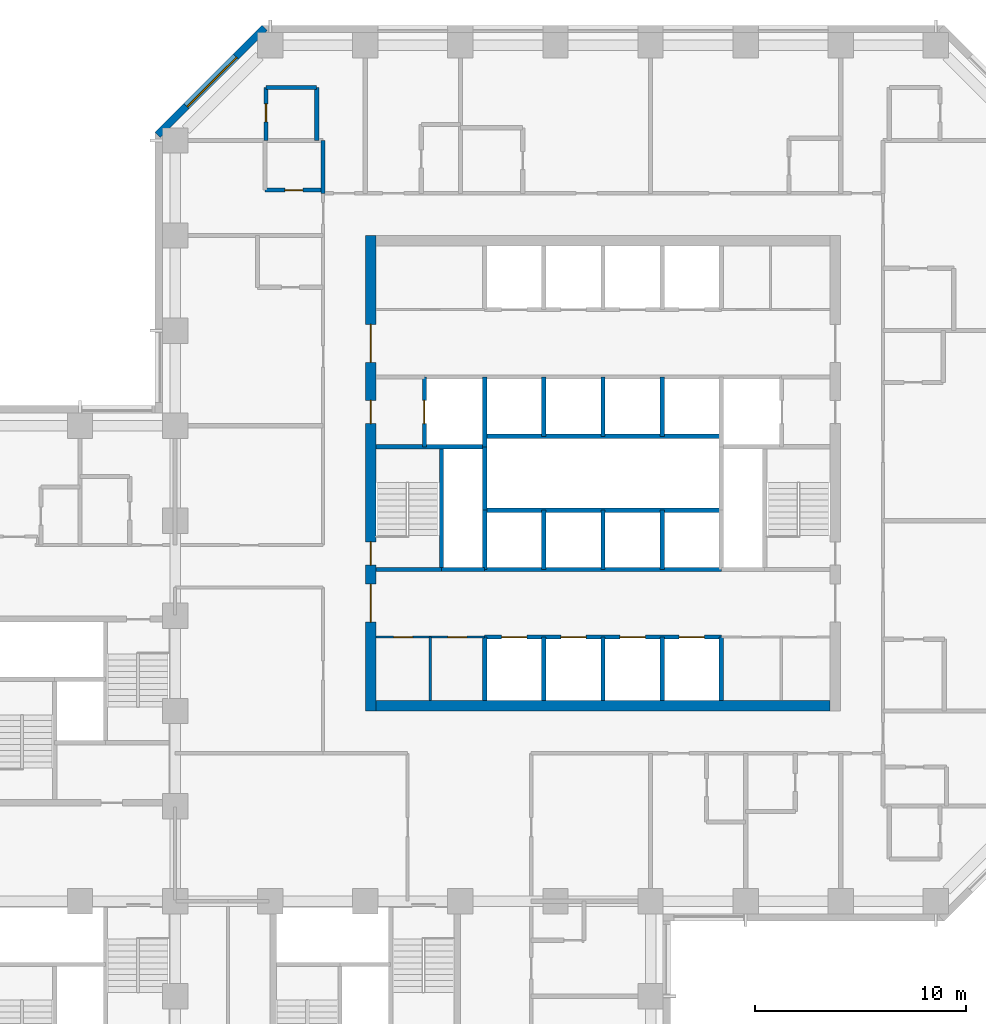
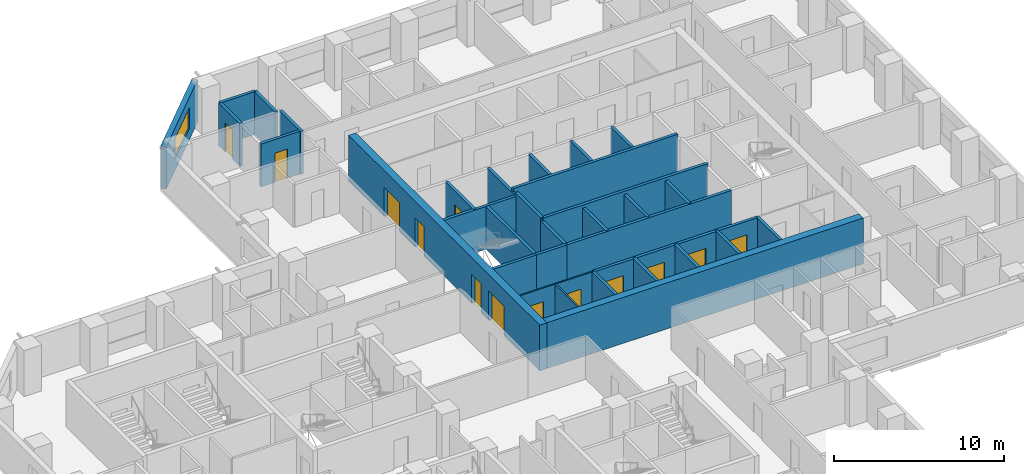
# One storey, part 8 of 13: 33 walls, 13 doors, 1 window, 14 openings.
"""IFC4 building model written with IfcOpenShell, lengths in metres."""

from ifc_helpers import new_model, si_unit, direction, frame, frame_2d, origin, place, context, subcontext, project, spatial, rectangle, extrude, material, layer, layer_set, constituent, constituent_set, type_object, element, fill, save


model = new_model("IFC4")

# Units and contexts
model_context = context("Model", 3, precision=1e-05, world=origin(), true_north=direction((0.0, 1.0)))
body_context = subcontext(model_context, "Body", "Model", "MODEL_VIEW")
ifc_project = project(units=[si_unit("LENGTHUNIT", "METRE"), si_unit("AREAUNIT", "SQUARE_METRE"), si_unit("VOLUMEUNIT", "CUBIC_METRE"), si_unit("PLANEANGLEUNIT", "RADIAN"), si_unit("MASSUNIT", "GRAM", prefix="KILO")], contexts=[model_context])

# Site, building, storey
site_placement = place(None, origin())
site = spatial("IfcSite", under=ifc_project, at=site_placement, CompositionType="ELEMENT")
building_placement = place(site_placement, origin())
building = spatial("IfcBuilding", under=site, at=building_placement, Name="Quoin Convention Tower", CompositionType="ELEMENT")
storey_placement = place(building_placement, frame((0.0, 0.0, 62.699951171875)))
storey = spatial("IfcBuildingStorey", under=building, at=storey_placement, Name="L16", CompositionType="ELEMENT", Elevation=62.699951171875)

# Wall, opening, window
ifc_material_1 = material(Name="Brick masonry", Category="masonry")
ifc_layer_1 = layer(ifc_material_1, 0.35009765625)
ifc_layer_set_1 = layer_set([ifc_layer_1], Name="Brick masonry")
wall_type_1 = type_object("IfcWallType", Name="Brick facade wall", PredefinedType="STANDARD", material=ifc_layer_set_1)
wall_1_placement = place(storey_placement, frame((40.230224609375, 81.826416015625, 0.0), z_axis=(0.0, 0.0, 1.0), x_axis=(-0.707106781187, -0.707106781187, 0.0)))
wall_1 = element("IfcWall", 1, at=wall_1_placement, inside=storey, type_object=wall_type_1, Name="fw-L16-40500_81000", PredefinedType="STANDARD", context=body_context, shape_type="SweptSolid", body=[
    extrude(rectangle(XDim=7.151123046875, YDim=0.35009765625, at=frame_2d((3.57568359375, 0.0))), origin(), (0.0, 0.0, 1.0), 3.054931640625),
])
opening_1_placement = place(wall_1_placement, frame((1.925537109375, 0.0, 0.800048828125)))
opening_1 = element("IfcOpeningElement", 2, at=opening_1_placement, cuts=wall_1, Name="Opening W-01", PredefinedType="OPENING", context=body_context, shape_type="SweptSolid", body=[
    extrude(rectangle(XDim=3.300048828125, YDim=1.5, at=frame_2d((1.64990234375, 0.75))), frame((0.0, 0.18505859375, 0.0), z_axis=(0.0, -1.0, 0.0), x_axis=(1.0, 0.0, 0.0)), (0.0, 0.0, 1.0), 0.3701171875),
])
ifc_material_2 = material(Name="Aluminium", Category="aluminium")
ifc_constituent_1 = constituent(ifc_material_2, Name="Frame")
ifc_material_3 = material(Name="Insulated glass", Category="glass")
ifc_constituent_2 = constituent(ifc_material_3, Name="Glazing")
ifc_constituent_set = constituent_set(constituents=[ifc_constituent_1, ifc_constituent_2], Name="Aluminium")
window_type = type_object("IfcWindowType", Name="Hotel strip window", PartitioningType="DOUBLE_PANEL_VERTICAL", PredefinedType="WINDOW", material=ifc_constituent_set)
window_placement = place(opening_1_placement, origin())
window = element("IfcWindow", 3, at=window_placement, inside=storey, type_object=window_type, Name="win-L16-37702_79298", OverallHeight=1.5, OverallWidth=3.300048828125, PartitioningType="SINGLE_PANEL", PredefinedType="WINDOW", context=body_context, shape_type="SweptSolid", body=[
    extrude(rectangle(XDim=3.300048828125, YDim=1.5, at=frame_2d((1.64990234375, 0.75))), frame((0.0, 0.0849609375, 0.0), z_axis=(0.0, -1.0, 0.0), x_axis=(1.0, 0.0, 0.0)), (0.0, 0.0, 1.0), 0.06005859375),
])
fill(opening_1, window)

# Wall, openings, doors
ifc_material_4 = material(Name="Plasterboard")
ifc_layer_2 = layer(ifc_material_4, 0.012451171875, Name="Finish")
ifc_material_5 = material(Name="Steel stud framing", Category="steel")
ifc_layer_3 = layer(ifc_material_5, 0.074951171875, Name="Structure")
ifc_layer_4 = layer(ifc_material_4, 0.012451171875, Name="Finish")
ifc_layer_set_2 = layer_set([ifc_layer_2, ifc_layer_3, ifc_layer_4], Name="Steel stud framing")
wall_type_2 = type_object("IfcWallType", Name="Core partition wall", PredefinedType="PARTITIONING", material=ifc_layer_set_2)
wall_2_placement = place(storey_placement, frame((45.5, 53.0, 0.0), z_axis=(0.0, 0.0, 1.0), x_axis=(1.0, 0.0, 0.0)))
wall_2 = element("IfcWall", 4, at=wall_2_placement, inside=storey, type_object=wall_type_2, Name="cr-C1-L16-h3500_500", PredefinedType="PARTITIONING", context=body_context, shape_type="SweptSolid", body=[
    extrude(rectangle(XDim=5.14990234375, YDim=0.10009765625, at=frame_2d((2.574951171875, 0.0))), origin(), (0.0, 0.0, 1.0), 3.080078125),
])
opening_2_placement = place(wall_2_placement, frame((0.83740234375, 0.0, 0.0)))
opening_2 = element("IfcOpeningElement", 5, at=opening_2_placement, cuts=wall_2, Name="Opening DCV0-49", PredefinedType="OPENING", context=body_context, shape_type="SweptSolid", body=[
    extrude(rectangle(XDim=0.89990234375, YDim=2.10009765625, at=frame_2d((0.449951171875, 1.050048828125))), frame((0.0, 0.06005859375, 0.0), z_axis=(0.0, -1.0, 0.0), x_axis=(1.0, 0.0, 0.0)), (0.0, 0.0, 1.0), 0.1201171875),
])
opening_3_placement = place(wall_2_placement, frame((3.41259765625, 0.0, 0.0)))
opening_3 = element("IfcOpeningElement", 6, at=opening_3_placement, cuts=wall_2, Name="Opening DCV0-50", PredefinedType="OPENING", context=body_context, shape_type="SweptSolid", body=[
    extrude(rectangle(XDim=0.89990234375, YDim=2.10009765625, at=frame_2d((0.449951171875, 1.050048828125))), frame((0.0, 0.06005859375, 0.0), z_axis=(0.0, -1.0, 0.0), x_axis=(1.0, 0.0, 0.0)), (0.0, 0.0, 1.0), 0.1201171875),
])
ifc_material_6 = material(Name="Steel door leaf", Category="steel")
door_type_1 = type_object("IfcDoorType", Name="Core room door 900 x 2100", OperationType="SINGLE_SWING_LEFT", PredefinedType="DOOR", material=ifc_material_6)
door_1_placement = place(opening_2_placement, frame((0.89990234375, 0.0, 0.0), z_axis=(0.0, 0.0, 1.0), x_axis=(-1.0, 0.0, 0.0)))
door_1 = element("IfcDoor", 7, at=door_1_placement, inside=storey, type_object=door_type_1, Name="cd-C1-L16-CSW0-lobA-CD1612", OperationType="SINGLE_SWING_LEFT", OverallHeight=2.10009765625, OverallWidth=0.89990234375, PredefinedType="DOOR", context=body_context, shape_type="SweptSolid", body=[
    extrude(rectangle(XDim=0.89990234375, YDim=2.10009765625, at=frame_2d((0.449951171875, 1.050048828125))), frame((0.0, 0.02490234375, 0.0), z_axis=(0.0, -1.0, 0.0), x_axis=(1.0, 0.0, 0.0)), (0.0, 0.0, 1.0), 0.050048828125),
])
fill(opening_2, door_1)
door_2_placement = place(opening_3_placement, frame((0.89990234375, 0.0, 0.0), z_axis=(0.0, 0.0, 1.0), x_axis=(-1.0, 0.0, 0.0)))
door_2 = element("IfcDoor", 8, at=door_2_placement, inside=storey, type_object=door_type_1, Name="cd-C1-L16-CSW1-lobA-CD1613", OperationType="SINGLE_SWING_LEFT", OverallHeight=2.10009765625, OverallWidth=0.89990234375, PredefinedType="DOOR", context=body_context, shape_type="SweptSolid", body=[
    extrude(rectangle(XDim=0.89990234375, YDim=2.10009765625, at=frame_2d((0.449951171875, 1.050048828125))), frame((0.0, 0.02490234375, 0.0), z_axis=(0.0, -1.0, 0.0), x_axis=(1.0, 0.0, 0.0)), (0.0, 0.0, 1.0), 0.050048828125),
])
fill(opening_3, door_2)

# Wall
wall_3_placement = place(storey_placement, frame((48.074951171875, 50.0, 0.0), z_axis=(0.0, 0.0, 1.0), x_axis=(0.0, 1.0, 0.0)))
element("IfcWall", 9, at=wall_3_placement, inside=storey, type_object=wall_type_2, Name="cr-C1-L16-v3075_500", PredefinedType="PARTITIONING", context=body_context, shape_type="SweptSolid", body=[
    extrude(rectangle(XDim=3.0, YDim=0.10009765625, at=frame_2d((1.5, 0.0))), origin(), (0.0, 0.0, 1.0), 3.080078125),
])

# Wall, openings, doors
ifc_material_7 = material(Name="Concrete C50", Category="concrete")
ifc_layer_5 = layer(ifc_material_7, 0.199951171875)
ifc_layer_set_3 = layer_set([ifc_layer_5], Name="Concrete C50")
wall_type_3 = type_object("IfcWallType", Name="Core shaft wall", PredefinedType="SOLIDWALL", material=ifc_layer_set_3)
wall_4_placement = place(storey_placement, frame((50.64990234375, 53.0, 0.0), z_axis=(0.0, 0.0, 1.0), x_axis=(1.0, 0.0, 0.0)))
wall_4 = element("IfcWall", 10, at=wall_4_placement, inside=storey, type_object=wall_type_3, Name="cr-C1-L16-h3500_5650", PredefinedType="SOLIDWALL", context=body_context, shape_type="SweptSolid", body=[
    extrude(rectangle(XDim=11.2001953125, YDim=0.199951171875, at=frame_2d((5.60009765625, 0.0))), origin(), (0.0, 0.0, 1.0), 3.080078125),
])
opening_4_placement = place(wall_4_placement, frame((0.800048828125, 0.0, 0.0)))
opening_4 = element("IfcOpeningElement", 11, at=opening_4_placement, cuts=wall_4, Name="Opening LDL1", PredefinedType="OPENING", context=body_context, shape_type="SweptSolid", body=[
    extrude(rectangle(XDim=1.199951171875, YDim=2.10009765625, at=frame_2d((0.60009765625, 1.050048828125))), frame((0.0, 0.10986328125, 0.0), z_axis=(0.0, -1.0, 0.0), x_axis=(1.0, 0.0, 0.0)), (0.0, 0.0, 1.0), 0.219970703125),
])
opening_5_placement = place(wall_4_placement, frame((3.60009765625, 0.0, 0.0)))
opening_5 = element("IfcOpeningElement", 12, at=opening_5_placement, cuts=wall_4, Name="Opening LDL2", PredefinedType="OPENING", context=body_context, shape_type="SweptSolid", body=[
    extrude(rectangle(XDim=1.199951171875, YDim=2.10009765625, at=frame_2d((0.60009765625, 1.050048828125))), frame((0.0, 0.10986328125, 0.0), z_axis=(0.0, -1.0, 0.0), x_axis=(1.0, 0.0, 0.0)), (0.0, 0.0, 1.0), 0.219970703125),
])
opening_6_placement = place(wall_4_placement, frame((6.39990234375, 0.0, 0.0)))
opening_6 = element("IfcOpeningElement", 13, at=opening_6_placement, cuts=wall_4, Name="Opening LDL3", PredefinedType="OPENING", context=body_context, shape_type="SweptSolid", body=[
    extrude(rectangle(XDim=1.199951171875, YDim=2.10009765625, at=frame_2d((0.60009765625, 1.050048828125))), frame((0.0, 0.10986328125, 0.0), z_axis=(0.0, -1.0, 0.0), x_axis=(1.0, 0.0, 0.0)), (0.0, 0.0, 1.0), 0.219970703125),
])
opening_7_placement = place(wall_4_placement, frame((9.199951171875, 0.0, 0.0)))
opening_7 = element("IfcOpeningElement", 14, at=opening_7_placement, cuts=wall_4, Name="Opening LDL4", PredefinedType="OPENING", context=body_context, shape_type="SweptSolid", body=[
    extrude(rectangle(XDim=1.199951171875, YDim=2.10009765625, at=frame_2d((0.60009765625, 1.050048828125))), frame((0.0, 0.10986328125, 0.0), z_axis=(0.0, -1.0, 0.0), x_axis=(1.0, 0.0, 0.0)), (0.0, 0.0, 1.0), 0.219970703125),
])
door_type_2 = type_object("IfcDoorType", Name="Lift landing door 1200 x 2100", OperationType="DOUBLE_DOOR_SLIDING", PredefinedType="DOOR", material=ifc_material_6)
door_3_placement = place(opening_4_placement, origin())
door_3 = element("IfcDoor", 15, at=door_3_placement, inside=storey, type_object=door_type_2, Name="cd-C1-L16-R10-lobA-LDL1", OperationType="DOUBLE_DOOR_SLIDING", OverallHeight=2.10009765625, OverallWidth=1.199951171875, PredefinedType="DOOR", context=body_context, shape_type="SweptSolid", body=[
    extrude(rectangle(XDim=1.199951171875, YDim=2.10009765625, at=frame_2d((0.60009765625, 1.050048828125))), frame((0.0, 0.02490234375, 0.0), z_axis=(0.0, -1.0, 0.0), x_axis=(1.0, 0.0, 0.0)), (0.0, 0.0, 1.0), 0.050048828125),
])
fill(opening_4, door_3)
door_4_placement = place(opening_5_placement, origin())
door_4 = element("IfcDoor", 16, at=door_4_placement, inside=storey, type_object=door_type_2, Name="cd-C1-L16-R11-lobA-LDL2", OperationType="DOUBLE_DOOR_SLIDING", OverallHeight=2.10009765625, OverallWidth=1.199951171875, PredefinedType="DOOR", context=body_context, shape_type="SweptSolid", body=[
    extrude(rectangle(XDim=1.199951171875, YDim=2.10009765625, at=frame_2d((0.60009765625, 1.050048828125))), frame((0.0, 0.02490234375, 0.0), z_axis=(0.0, -1.0, 0.0), x_axis=(1.0, 0.0, 0.0)), (0.0, 0.0, 1.0), 0.050048828125),
])
fill(opening_5, door_4)
door_5_placement = place(opening_6_placement, origin())
door_5 = element("IfcDoor", 17, at=door_5_placement, inside=storey, type_object=door_type_2, Name="cd-C1-L16-R12-lobA-LDL3", OperationType="DOUBLE_DOOR_SLIDING", OverallHeight=2.10009765625, OverallWidth=1.199951171875, PredefinedType="DOOR", context=body_context, shape_type="SweptSolid", body=[
    extrude(rectangle(XDim=1.199951171875, YDim=2.10009765625, at=frame_2d((0.60009765625, 1.050048828125))), frame((0.0, 0.02490234375, 0.0), z_axis=(0.0, -1.0, 0.0), x_axis=(1.0, 0.0, 0.0)), (0.0, 0.0, 1.0), 0.050048828125),
])
fill(opening_6, door_5)
door_6_placement = place(opening_7_placement, origin())
door_6 = element("IfcDoor", 18, at=door_6_placement, inside=storey, type_object=door_type_2, Name="cd-C1-L16-R13-lobA-LDL4", OperationType="DOUBLE_DOOR_SLIDING", OverallHeight=2.10009765625, OverallWidth=1.199951171875, PredefinedType="DOOR", context=body_context, shape_type="SweptSolid", body=[
    extrude(rectangle(XDim=1.199951171875, YDim=2.10009765625, at=frame_2d((0.60009765625, 1.050048828125))), frame((0.0, 0.02490234375, 0.0), z_axis=(0.0, -1.0, 0.0), x_axis=(1.0, 0.0, 0.0)), (0.0, 0.0, 1.0), 0.050048828125),
])
fill(opening_7, door_6)

# Walls
wall_5_placement = place(storey_placement, frame((48.60009765625, 56.199951171875, 0.0), z_axis=(0.0, 0.0, 1.0), x_axis=(1.0, 0.0, 0.0)))
element("IfcWall", 19, at=wall_5_placement, inside=storey, type_object=wall_type_3, Name="cr-C1-L16-h6700_3600", PredefinedType="SOLIDWALL", context=body_context, shape_type="SweptSolid", body=[
    extrude(rectangle(XDim=2.0498046875, YDim=0.199951171875, at=frame_2d((1.02490234375, 0.0))), origin(), (0.0, 0.0, 1.0), 3.080078125),
])
wall_6_placement = place(storey_placement, frame((45.5, 56.199951171875, 0.0), z_axis=(0.0, 0.0, 1.0), x_axis=(1.0, 0.0, 0.0)))
element("IfcWall", 20, at=wall_6_placement, inside=storey, type_object=wall_type_3, Name="cr-C1-L16-h6700_500", PredefinedType="SOLIDWALL", context=body_context, shape_type="SweptSolid", body=[
    extrude(rectangle(XDim=3.10009765625, YDim=0.199951171875, at=frame_2d((1.550048828125, 0.0))), origin(), (0.0, 0.0, 1.0), 3.080078125),
])
wall_7_placement = place(storey_placement, frame((50.64990234375, 56.199951171875, 0.0), z_axis=(0.0, 0.0, 1.0), x_axis=(1.0, 0.0, 0.0)))
element("IfcWall", 21, at=wall_7_placement, inside=storey, type_object=wall_type_3, Name="cr-C1-L16-h6700_5650", PredefinedType="SOLIDWALL", context=body_context, shape_type="SweptSolid", body=[
    extrude(rectangle(XDim=11.2001953125, YDim=0.199951171875, at=frame_2d((5.60009765625, 0.0))), origin(), (0.0, 0.0, 1.0), 3.080078125),
])
wall_8_placement = place(storey_placement, frame((45.5, 62.0, 0.0), z_axis=(0.0, 0.0, 1.0), x_axis=(1.0, 0.0, 0.0)))
element("IfcWall", 22, at=wall_8_placement, inside=storey, type_object=wall_type_3, Name="cr-C1-L16-h12500_500", PredefinedType="SOLIDWALL", context=body_context, shape_type="SweptSolid", body=[
    extrude(rectangle(XDim=5.14990234375, YDim=0.199951171875, at=frame_2d((2.574951171875, 0.0))), origin(), (0.0, 0.0, 1.0), 3.080078125),
])

# Wall, opening, door
wall_9_placement = place(storey_placement, frame((47.800048828125, 62.0, 0.0), z_axis=(0.0, 0.0, 1.0), x_axis=(0.0, 1.0, 0.0)))
wall_9 = element("IfcWall", 23, at=wall_9_placement, inside=storey, type_object=wall_type_3, Name="cr-C1-L16-v2800_12500", PredefinedType="SOLIDWALL", context=body_context, shape_type="SweptSolid", body=[
    extrude(rectangle(XDim=3.300048828125, YDim=0.199951171875, at=frame_2d((1.64990234375, 0.0))), origin(), (0.0, 0.0, 1.0), 3.080078125),
])
opening_8_placement = place(wall_9_placement, frame((1.10009765625, 0.0, 0.0)))
opening_8 = element("IfcOpeningElement", 24, at=opening_8_placement, cuts=wall_9, Name="Opening LDFL1", PredefinedType="OPENING", context=body_context, shape_type="SweptSolid", body=[
    extrude(rectangle(XDim=1.10009765625, YDim=2.10009765625, at=frame_2d((0.550048828125, 1.050048828125))), frame((0.0, 0.10986328125, 0.0), z_axis=(0.0, -1.0, 0.0), x_axis=(1.0, 0.0, 0.0)), (0.0, 0.0, 1.0), 0.219970703125),
])
door_type_3 = type_object("IfcDoorType", Name="Lift landing door 1100 x 2100", OperationType="DOUBLE_DOOR_SLIDING", PredefinedType="DOOR", material=ifc_material_6)
door_7_placement = place(opening_8_placement, origin())
door_7 = element("IfcDoor", 25, at=door_7_placement, inside=storey, type_object=door_type_3, Name="cd-C1-L16-FLW-FFW-LDFL1", OperationType="DOUBLE_DOOR_SLIDING", OverallHeight=2.10009765625, OverallWidth=1.10009765625, PredefinedType="DOOR", context=body_context, shape_type="SweptSolid", body=[
    extrude(rectangle(XDim=1.10009765625, YDim=2.10009765625, at=frame_2d((0.550048828125, 1.050048828125))), frame((0.0, 0.02490234375, 0.0), z_axis=(0.0, -1.0, 0.0), x_axis=(1.0, 0.0, 0.0)), (0.0, 0.0, 1.0), 0.050048828125),
])
fill(opening_8, door_7)

# Walls
wall_10_placement = place(storey_placement, frame((48.60009765625, 56.199951171875, 0.0), z_axis=(0.0, 0.0, 1.0), x_axis=(0.0, 1.0, 0.0)))
element("IfcWall", 26, at=wall_10_placement, inside=storey, type_object=wall_type_3, Name="cr-C1-L16-v3600_6700", PredefinedType="SOLIDWALL", context=body_context, shape_type="SweptSolid", body=[
    extrude(rectangle(XDim=5.800048828125, YDim=0.199951171875, at=frame_2d((2.89990234375, 0.0))), origin(), (0.0, 0.0, 1.0), 3.080078125),
])
wall_11_placement = place(storey_placement, frame((50.64990234375, 50.0, 0.0), z_axis=(0.0, 0.0, 1.0), x_axis=(0.0, 1.0, 0.0)))
element("IfcWall", 27, at=wall_11_placement, inside=storey, type_object=wall_type_3, Name="cr-C1-L16-v5650_500", PredefinedType="SOLIDWALL", context=body_context, shape_type="SweptSolid", body=[
    extrude(rectangle(XDim=3.0, YDim=0.199951171875, at=frame_2d((1.5, 0.0))), origin(), (0.0, 0.0, 1.0), 3.080078125),
])
wall_12_placement = place(storey_placement, frame((50.64990234375, 56.199951171875, 0.0), z_axis=(0.0, 0.0, 1.0), x_axis=(0.0, 1.0, 0.0)))
element("IfcWall", 28, at=wall_12_placement, inside=storey, type_object=wall_type_3, Name="cr-C1-L16-v5650_6700", PredefinedType="SOLIDWALL", context=body_context, shape_type="SweptSolid", body=[
    extrude(rectangle(XDim=2.800048828125, YDim=0.199951171875, at=frame_2d((1.39990234375, 0.0))), origin(), (0.0, 0.0, 1.0), 3.080078125),
])
wall_13_placement = place(storey_placement, frame((50.64990234375, 62.0, 0.0), z_axis=(0.0, 0.0, 1.0), x_axis=(0.0, 1.0, 0.0)))
element("IfcWall", 29, at=wall_13_placement, inside=storey, type_object=wall_type_3, Name="cr-C1-L16-v5650_12500", PredefinedType="SOLIDWALL", context=body_context, shape_type="SweptSolid", body=[
    extrude(rectangle(XDim=3.300048828125, YDim=0.199951171875, at=frame_2d((1.64990234375, 0.0))), origin(), (0.0, 0.0, 1.0), 3.080078125),
])
wall_14_placement = place(storey_placement, frame((53.449951171875, 50.0, 0.0), z_axis=(0.0, 0.0, 1.0), x_axis=(0.0, 1.0, 0.0)))
element("IfcWall", 30, at=wall_14_placement, inside=storey, type_object=wall_type_3, Name="cr-C1-L16-v8450_500", PredefinedType="SOLIDWALL", context=body_context, shape_type="SweptSolid", body=[
    extrude(rectangle(XDim=3.0, YDim=0.199951171875, at=frame_2d((1.5, 0.0))), origin(), (0.0, 0.0, 1.0), 3.080078125),
])
for number, where, z_axis, x_axis, name in (
    (31, (53.449951171875, 56.199951171875, 0.0), (0.0, 0.0, 1.0), (0.0, 1.0, 0.0), "cr-C1-L16-v8450_6700"),
    (32, (53.449951171875, 62.5, 0.0), (0.0, 0.0, 1.0), (0.0, 1.0, 0.0), "cr-C1-L16-v8450_13000"),
):
    element("IfcWall", number, at=place(storey_placement, frame(where, z_axis=z_axis, x_axis=x_axis)), inside=storey, type_object=wall_type_3, Name=name, PredefinedType="SOLIDWALL", context=body_context, shape_type="SweptSolid", body=[
        extrude(rectangle(XDim=2.800048828125, YDim=0.199951171875, at=frame_2d((1.39990234375, 0.0))), origin(), (0.0, 0.0, 1.0), 3.080078125),
    ])
wall_15_placement = place(storey_placement, frame((56.25, 50.0, 0.0), z_axis=(0.0, 0.0, 1.0), x_axis=(0.0, 1.0, 0.0)))
element("IfcWall", 33, at=wall_15_placement, inside=storey, type_object=wall_type_3, Name="cr-C1-L16-v11250_500", PredefinedType="SOLIDWALL", context=body_context, shape_type="SweptSolid", body=[
    extrude(rectangle(XDim=3.0, YDim=0.199951171875, at=frame_2d((1.5, 0.0))), origin(), (0.0, 0.0, 1.0), 3.080078125),
])
for number, where, z_axis, x_axis, name in (
    (34, (56.25, 56.199951171875, 0.0), (0.0, 0.0, 1.0), (0.0, 1.0, 0.0), "cr-C1-L16-v11250_6700"),
    (35, (56.25, 62.5, 0.0), (0.0, 0.0, 1.0), (0.0, 1.0, 0.0), "cr-C1-L16-v11250_13000"),
):
    element("IfcWall", number, at=place(storey_placement, frame(where, z_axis=z_axis, x_axis=x_axis)), inside=storey, type_object=wall_type_3, Name=name, PredefinedType="SOLIDWALL", context=body_context, shape_type="SweptSolid", body=[
        extrude(rectangle(XDim=2.800048828125, YDim=0.199951171875, at=frame_2d((1.39990234375, 0.0))), origin(), (0.0, 0.0, 1.0), 3.080078125),
    ])
wall_16_placement = place(storey_placement, frame((59.050048828125, 50.0, 0.0), z_axis=(0.0, 0.0, 1.0), x_axis=(0.0, 1.0, 0.0)))
element("IfcWall", 36, at=wall_16_placement, inside=storey, type_object=wall_type_3, Name="cr-C1-L16-v14050_500", PredefinedType="SOLIDWALL", context=body_context, shape_type="SweptSolid", body=[
    extrude(rectangle(XDim=3.0, YDim=0.199951171875, at=frame_2d((1.5, 0.0))), origin(), (0.0, 0.0, 1.0), 3.080078125),
])
for number, where, z_axis, x_axis, name in (
    (37, (59.050048828125, 56.199951171875, 0.0), (0.0, 0.0, 1.0), (0.0, 1.0, 0.0), "cr-C1-L16-v14050_6700"),
    (38, (59.050048828125, 62.5, 0.0), (0.0, 0.0, 1.0), (0.0, 1.0, 0.0), "cr-C1-L16-v14050_13000"),
):
    element("IfcWall", number, at=place(storey_placement, frame(where, z_axis=z_axis, x_axis=x_axis)), inside=storey, type_object=wall_type_3, Name=name, PredefinedType="SOLIDWALL", context=body_context, shape_type="SweptSolid", body=[
        extrude(rectangle(XDim=2.800048828125, YDim=0.199951171875, at=frame_2d((1.39990234375, 0.0))), origin(), (0.0, 0.0, 1.0), 3.080078125),
    ])
wall_17_placement = place(storey_placement, frame((61.85009765625, 50.0, 0.0), z_axis=(0.0, 0.0, 1.0), x_axis=(0.0, 1.0, 0.0)))
element("IfcWall", 39, at=wall_17_placement, inside=storey, type_object=wall_type_3, Name="cr-C1-L16-v16850_500", PredefinedType="SOLIDWALL", context=body_context, shape_type="SweptSolid", body=[
    extrude(rectangle(XDim=3.0, YDim=0.199951171875, at=frame_2d((1.5, 0.0))), origin(), (0.0, 0.0, 1.0), 3.080078125),
])
ifc_layer_6 = layer(ifc_material_7, 0.199951171875)
ifc_layer_set_4 = layer_set([ifc_layer_6], Name="Concrete C50")
wall_type_4 = type_object("IfcWallType", Name="Core shaft wall to the floor level over", PredefinedType="SOLIDWALL", material=ifc_layer_set_4)
for number, where, z_axis, x_axis, name in (
    (40, (50.64990234375, 59.0, 0.0), (0.0, 0.0, 1.0), (1.0, 0.0, 0.0), "cr-C1-L16-h9500_5650"),
    (41, (50.64990234375, 62.5, 0.0), (0.0, 0.0, 1.0), (1.0, 0.0, 0.0), "cr-C1-L16-h13000_5650"),
):
    element("IfcWall", number, at=place(storey_placement, frame(where, z_axis=z_axis, x_axis=x_axis)), inside=storey, type_object=wall_type_4, Name=name, PredefinedType="SOLIDWALL", context=body_context, shape_type="SweptSolid", body=[
        extrude(rectangle(XDim=11.2001953125, YDim=0.199951171875, at=frame_2d((5.60009765625, 0.0))), origin(), (0.0, 0.0, 1.0), 3.300048828125),
    ])
wall_18_placement = place(storey_placement, frame((50.64990234375, 59.0, 0.0), z_axis=(0.0, 0.0, 1.0), x_axis=(0.0, 1.0, 0.0)))
element("IfcWall", 42, at=wall_18_placement, inside=storey, type_object=wall_type_4, Name="cr-C1-L16-v5650_9500", PredefinedType="SOLIDWALL", context=body_context, shape_type="SweptSolid", body=[
    extrude(rectangle(XDim=3.0, YDim=0.199951171875, at=frame_2d((1.5, 0.0))), origin(), (0.0, 0.0, 1.0), 3.300048828125),
])
ifc_material_8 = material(Name="Concrete C80", Category="concrete")
ifc_layer_7 = layer(ifc_material_8, 0.5)
ifc_layer_set_5 = layer_set([ifc_layer_7], Name="Concrete C80")
wall_type_5 = type_object("IfcWallType", Name="RC CORE WALL 500 C80", PredefinedType="SHEAR", material=ifc_layer_set_5)
wall_19_placement = place(storey_placement, frame((45.5, 49.75, 0.0), z_axis=(0.0, 0.0, 1.0), x_axis=(1.0, 0.0, 0.0)))
element("IfcWall", 43, at=wall_19_placement, inside=storey, type_object=wall_type_5, Name="cwl-C1-L16-S", PredefinedType="SHEAR", context=body_context, shape_type="SweptSolid", body=[
    extrude(rectangle(XDim=21.5, YDim=0.5, at=frame_2d((10.75, 0.0))), origin(), (0.0, 0.0, 1.0), 3.300048828125),
])

# Wall, openings, doors
wall_20_placement = place(storey_placement, frame((45.25, 49.5, 0.0), z_axis=(0.0, 0.0, 1.0), x_axis=(0.0, 1.0, 0.0)))
wall_20 = element("IfcWall", 44, at=wall_20_placement, inside=storey, type_object=wall_type_5, Name="cwl-C1-L16-W", PredefinedType="SHEAR", context=body_context, shape_type="SweptSolid", body=[
    extrude(rectangle(XDim=22.5, YDim=0.5, at=frame_2d((11.25, 0.0))), origin(), (0.0, 0.0, 1.0), 3.300048828125),
])
opening_9_placement = place(wall_20_placement, frame((4.199951171875, 0.0, 0.0)))
opening_9 = element("IfcOpeningElement", 45, at=opening_9_placement, cuts=wall_20, Name="Opening DCV0-59", PredefinedType="OPENING", context=body_context, shape_type="SweptSolid", body=[
    extrude(rectangle(XDim=1.800048828125, YDim=2.10009765625, at=frame_2d((0.89990234375, 1.050048828125))), frame((0.0, 0.260009765625, 0.0), z_axis=(0.0, -1.0, 0.0), x_axis=(1.0, 0.0, 0.0)), (0.0, 0.0, 1.0), 0.52001953125),
])
opening_10_placement = place(wall_20_placement, frame((6.89990234375, 0.0, 0.0)))
opening_10 = element("IfcOpeningElement", 46, at=opening_10_placement, cuts=wall_20, Name="Opening SD1", PredefinedType="OPENING", context=body_context, shape_type="SweptSolid", body=[
    extrude(rectangle(XDim=1.10009765625, YDim=2.10009765625, at=frame_2d((0.550048828125, 1.050048828125))), frame((0.0, 0.260009765625, 0.0), z_axis=(0.0, -1.0, 0.0), x_axis=(1.0, 0.0, 0.0)), (0.0, 0.0, 1.0), 0.52001953125),
])
opening_11_placement = place(wall_20_placement, frame((13.60009765625, 0.0, 0.0)))
opening_11 = element("IfcOpeningElement", 47, at=opening_11_placement, cuts=wall_20, Name="Opening DCV0-58", PredefinedType="OPENING", context=body_context, shape_type="SweptSolid", body=[
    extrude(rectangle(XDim=1.10009765625, YDim=2.10009765625, at=frame_2d((0.550048828125, 1.050048828125))), frame((0.0, 0.260009765625, 0.0), z_axis=(0.0, -1.0, 0.0), x_axis=(1.0, 0.0, 0.0)), (0.0, 0.0, 1.0), 0.52001953125),
])
opening_12_placement = place(wall_20_placement, frame((16.5, 0.0, 0.0)))
opening_12 = element("IfcOpeningElement", 48, at=opening_12_placement, cuts=wall_20, Name="Opening DCV0-59", PredefinedType="OPENING", context=body_context, shape_type="SweptSolid", body=[
    extrude(rectangle(XDim=1.800048828125, YDim=2.10009765625, at=frame_2d((0.89990234375, 1.050048828125))), frame((0.0, 0.260009765625, 0.0), z_axis=(0.0, -1.0, 0.0), x_axis=(1.0, 0.0, 0.0)), (0.0, 0.0, 1.0), 0.52001953125),
])
door_type_4 = type_object("IfcDoorType", Name="Fire-fighting lobby door 1100 x 2100", OperationType="SINGLE_SWING_LEFT", PredefinedType="DOOR", material=ifc_material_6)
door_8_placement = place(opening_11_placement, frame((1.10009765625, 0.0, 0.0), z_axis=(0.0, 0.0, 1.0), x_axis=(-1.0, 0.0, 0.0)))
door_8 = element("IfcDoor", 49, at=door_8_placement, inside=storey, type_object=door_type_4, Name="cd-C1-L16-FFW-W", OperationType="SINGLE_SWING_LEFT", OverallHeight=2.10009765625, OverallWidth=1.10009765625, PredefinedType="DOOR", context=body_context, shape_type="SweptSolid", body=[
    extrude(rectangle(XDim=1.10009765625, YDim=2.10009765625, at=frame_2d((0.550048828125, 1.050048828125))), frame((0.0, 0.02490234375, 0.0), z_axis=(0.0, -1.0, 0.0), x_axis=(1.0, 0.0, 0.0)), (0.0, 0.0, 1.0), 0.050048828125),
])
fill(opening_11, door_8)
door_type_5 = type_object("IfcDoorType", Name="Lift lobby door 1800 x 2100", OperationType="SINGLE_SWING_LEFT", PredefinedType="DOOR", material=ifc_material_6)
door_9_placement = place(opening_9_placement, frame((1.800048828125, 0.0, 0.0), z_axis=(0.0, 0.0, 1.0), x_axis=(-1.0, 0.0, 0.0)))
door_9 = element("IfcDoor", 50, at=door_9_placement, inside=storey, type_object=door_type_5, Name="cd-C1-L16-lobA-W", OperationType="SINGLE_SWING_LEFT", OverallHeight=2.10009765625, OverallWidth=1.800048828125, PredefinedType="DOOR", context=body_context, shape_type="SweptSolid", body=[
    extrude(rectangle(XDim=1.800048828125, YDim=2.10009765625, at=frame_2d((0.89990234375, 1.050048828125))), frame((0.0, 0.02490234375, 0.0), z_axis=(0.0, -1.0, 0.0), x_axis=(1.0, 0.0, 0.0)), (0.0, 0.0, 1.0), 0.050048828125),
])
fill(opening_9, door_9)
door_10_placement = place(opening_12_placement, frame((1.800048828125, 0.0, 0.0), z_axis=(0.0, 0.0, 1.0), x_axis=(-1.0, 0.0, 0.0)))
door_10 = element("IfcDoor", 51, at=door_10_placement, inside=storey, type_object=door_type_5, Name="cd-C1-L16-lobB-W", OperationType="SINGLE_SWING_LEFT", OverallHeight=2.10009765625, OverallWidth=1.800048828125, PredefinedType="DOOR", context=body_context, shape_type="SweptSolid", body=[
    extrude(rectangle(XDim=1.800048828125, YDim=2.10009765625, at=frame_2d((0.89990234375, 1.050048828125))), frame((0.0, 0.02490234375, 0.0), z_axis=(0.0, -1.0, 0.0), x_axis=(1.0, 0.0, 0.0)), (0.0, 0.0, 1.0), 0.050048828125),
])
fill(opening_12, door_10)
door_type_6 = type_object("IfcDoorType", Name="Stair door 1100 x 2100", OperationType="SINGLE_SWING_RIGHT", PredefinedType="DOOR", material=ifc_material_6)
door_11_placement = place(opening_10_placement, frame((1.10009765625, 0.0, 0.0), z_axis=(0.0, 0.0, 1.0), x_axis=(-1.0, 0.0, 0.0)))
door_11 = element("IfcDoor", 52, at=door_11_placement, inside=storey, type_object=door_type_6, Name="cd-C1-L16-STW-W", OperationType="SINGLE_SWING_RIGHT", OverallHeight=2.10009765625, OverallWidth=1.10009765625, PredefinedType="DOOR", context=body_context, shape_type="SweptSolid", body=[
    extrude(rectangle(XDim=1.10009765625, YDim=2.10009765625, at=frame_2d((0.550048828125, 1.050048828125))), frame((0.0, 0.02490234375, 0.0), z_axis=(0.0, -1.0, 0.0), x_axis=(1.0, 0.0, 0.0)), (0.0, 0.0, 1.0), 0.050048828125),
])
fill(opening_10, door_11)

# Wall
ifc_layer_8 = layer(ifc_material_7, 0.199951171875)
ifc_layer_set_6 = layer_set([ifc_layer_8], Name="Concrete C50")
wall_type_6 = type_object("IfcWallType", Name="RC party wall", PredefinedType="SOLIDWALL", material=ifc_layer_set_6)
wall_21_placement = place(storey_placement, frame((43.0, 74.0, 0.0), z_axis=(0.0, 0.0, 1.0), x_axis=(0.0, 1.0, 0.0)))
element("IfcWall", 53, at=wall_21_placement, inside=storey, type_object=wall_type_6, Name="pw-L16-117", PredefinedType="SOLIDWALL", context=body_context, shape_type="SweptSolid", body=[
    extrude(rectangle(XDim=2.5, YDim=0.199951171875, at=frame_2d((1.25, 0.0))), origin(), (0.0, 0.0, 1.0), 3.080078125),
])

# Wall, opening, door
wall_22_placement = place(storey_placement, frame((40.25, 74.14990234375, 0.0), z_axis=(0.0, 0.0, 1.0), x_axis=(1.0, 0.0, 0.0)))
wall_22 = element("IfcWall", 54, at=wall_22_placement, inside=storey, type_object=wall_type_6, Name="pw-L16-126", PredefinedType="SOLIDWALL", context=body_context, shape_type="SweptSolid", body=[
    extrude(rectangle(XDim=2.75, YDim=0.199951171875, at=frame_2d((1.375, 0.0))), origin(), (0.0, 0.0, 1.0), 3.080078125),
])
opening_13_placement = place(wall_22_placement, frame((0.949951171875, 0.0, 0.0)))
opening_13 = element("IfcOpeningElement", 55, at=opening_13_placement, cuts=wall_22, Name="Opening DHOTEL-E-60", PredefinedType="OPENING", context=body_context, shape_type="SweptSolid", body=[
    extrude(rectangle(XDim=0.85009765625, YDim=2.10009765625, at=frame_2d((0.425048828125, 1.050048828125))), frame((0.0, 0.10986328125, 0.0), z_axis=(0.0, -1.0, 0.0), x_axis=(1.0, 0.0, 0.0)), (0.0, 0.0, 1.0), 0.219970703125),
])
door_type_7 = type_object("IfcDoorType", Name="Bathroom door", OperationType="SINGLE_SWING_LEFT", PredefinedType="DOOR", material=ifc_material_6)
door_12_placement = place(opening_13_placement, frame((0.85009765625, 0.0, 0.0), z_axis=(0.0, 0.0, 1.0), x_axis=(-1.0, 0.0, 0.0)))
door_12 = element("IfcDoor", 56, at=door_12_placement, inside=storey, type_object=door_type_7, Name="dr-L16-030", OperationType="SINGLE_SWING_LEFT", OverallHeight=2.10009765625, OverallWidth=0.85009765625, PredefinedType="DOOR", context=body_context, shape_type="SweptSolid", body=[
    extrude(rectangle(XDim=0.85009765625, YDim=2.10009765625, at=frame_2d((0.425048828125, 1.050048828125))), frame((0.0, 0.02490234375, 0.0), z_axis=(0.0, -1.0, 0.0), x_axis=(1.0, 0.0, 0.0)), (0.0, 0.0, 1.0), 0.050048828125),
])
fill(opening_13, door_12)

wall_23_placement = place(storey_placement, frame((40.300048828125, 76.5, 0.0), z_axis=(0.0, 0.0, 1.0), x_axis=(0.0, 1.0, 0.0)))
wall_23 = element("IfcWall", 57, at=wall_23_placement, inside=storey, type_object=wall_type_6, Name="pw-L16-129", PredefinedType="SOLIDWALL", context=body_context, shape_type="SweptSolid", body=[
    extrude(rectangle(XDim=2.5, YDim=0.199951171875, at=frame_2d((1.25, 0.0))), origin(), (0.0, 0.0, 1.0), 3.080078125),
])
opening_14_placement = place(wall_23_placement, frame((0.875, 0.0, 0.0)))
opening_14 = element("IfcOpeningElement", 58, at=opening_14_placement, cuts=wall_23, Name="Opening DHOTEL-E-61", PredefinedType="OPENING", context=body_context, shape_type="SweptSolid", body=[
    extrude(rectangle(XDim=0.85009765625, YDim=2.10009765625, at=frame_2d((0.425048828125, 1.050048828125))), frame((0.0, 0.10986328125, 0.0), z_axis=(0.0, -1.0, 0.0), x_axis=(1.0, 0.0, 0.0)), (0.0, 0.0, 1.0), 0.219970703125),
])
door_13_placement = place(opening_14_placement, origin())
door_13 = element("IfcDoor", 59, at=door_13_placement, inside=storey, type_object=door_type_7, Name="dr-L16-056", OperationType="SINGLE_SWING_RIGHT", OverallHeight=2.10009765625, OverallWidth=0.85009765625, PredefinedType="DOOR", context=body_context, shape_type="SweptSolid", body=[
    extrude(rectangle(XDim=0.85009765625, YDim=2.10009765625, at=frame_2d((0.425048828125, 1.050048828125))), frame((0.0, 0.02490234375, 0.0), z_axis=(0.0, -1.0, 0.0), x_axis=(1.0, 0.0, 0.0)), (0.0, 0.0, 1.0), 0.050048828125),
])
fill(opening_14, door_13)

# Walls
wall_24_placement = place(storey_placement, frame((42.699951171875, 76.5, 0.0), z_axis=(0.0, 0.0, 1.0), x_axis=(0.0, 1.0, 0.0)))
element("IfcWall", 60, at=wall_24_placement, inside=storey, type_object=wall_type_6, Name="pw-L16-130", PredefinedType="SOLIDWALL", context=body_context, shape_type="SweptSolid", body=[
    extrude(rectangle(XDim=2.5, YDim=0.199951171875, at=frame_2d((1.25, 0.0))), origin(), (0.0, 0.0, 1.0), 3.080078125),
])
wall_25_placement = place(storey_placement, frame((40.300048828125, 79.0, 0.0), z_axis=(0.0, 0.0, 1.0), x_axis=(1.0, 0.0, 0.0)))
element("IfcWall", 61, at=wall_25_placement, inside=storey, type_object=wall_type_6, Name="pw-L16-137", PredefinedType="SOLIDWALL", context=body_context, shape_type="SweptSolid", body=[
    extrude(rectangle(XDim=2.39990234375, YDim=0.199951171875, at=frame_2d((1.199951171875, 0.0))), origin(), (0.0, 0.0, 1.0), 3.080078125),
])

save(model, "model.ifc")
